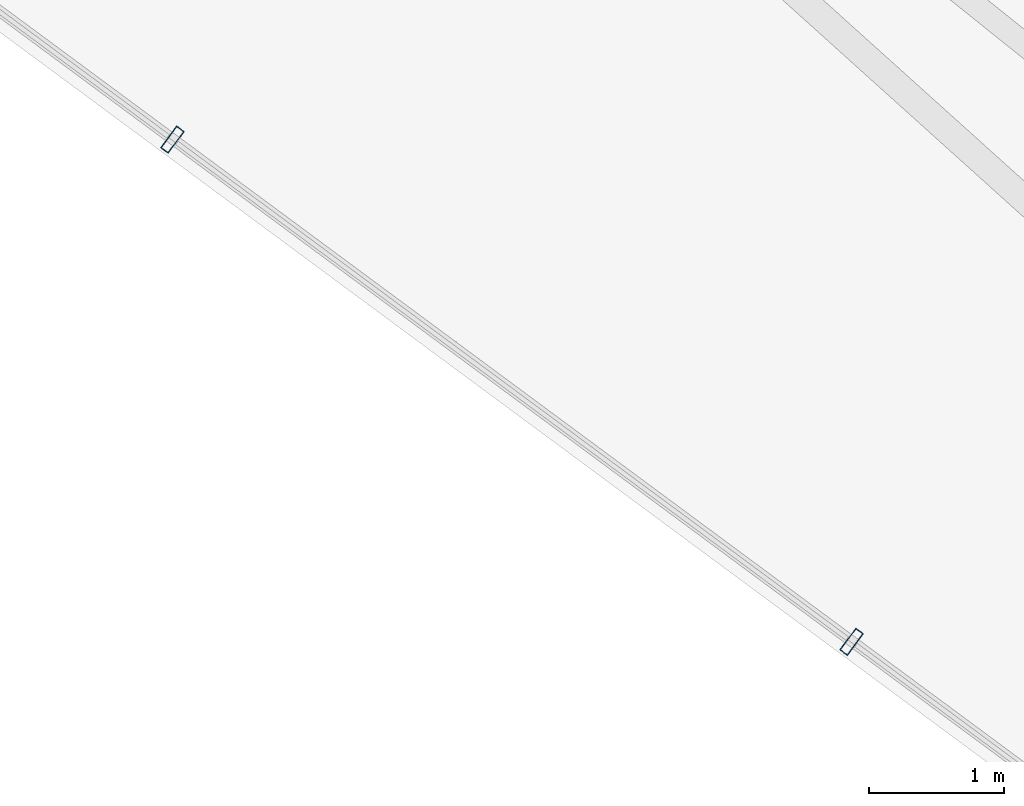
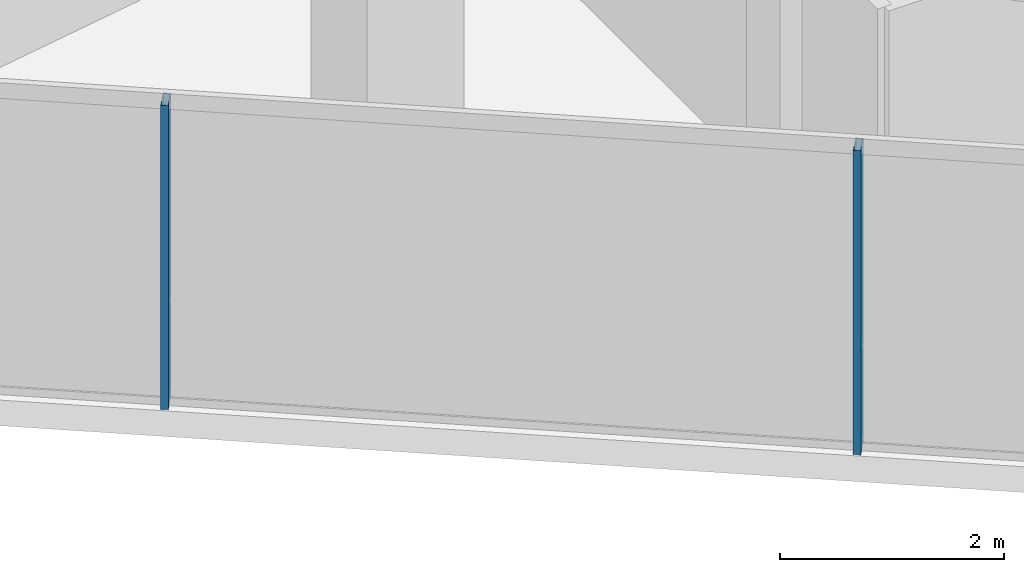
# One storey, part 2 of 22: 2 members, 1 element without a shape of its own.
"""IFC4 building model written with IfcOpenShell, lengths in metres."""

from ifc_helpers import new_model, si_unit, direction, frame, origin, origin_2d, place, context, subcontext, project, spatial, hollow_rectangle, extrude, material, layer, layer_set, material_profile, profile_set, type_object, element, aggregate, save


model = new_model("IFC4")

# Units and contexts
model_context = context("Model", 3, precision=1e-05, world=origin(), true_north=direction((0.0, 1.0)))
body_context = subcontext(model_context, "Body", "Model", "MODEL_VIEW")
ifc_project = project(units=[si_unit("LENGTHUNIT", "METRE"), si_unit("AREAUNIT", "SQUARE_METRE"), si_unit("VOLUMEUNIT", "CUBIC_METRE"), si_unit("PLANEANGLEUNIT", "RADIAN"), si_unit("MASSUNIT", "GRAM", prefix="KILO")], contexts=[model_context])

# Site, building, storey
site_placement = place(None, origin())
site = spatial("IfcSite", under=ifc_project, at=site_placement, CompositionType="ELEMENT")
building_placement = place(site_placement, origin())
building = spatial("IfcBuilding", under=site, at=building_placement, Name="Qarnah Convention Tower", CompositionType="ELEMENT")
storey_placement = place(building_placement, frame((0.0, 0.0, 154.5)))
storey = spatial("IfcBuildingStorey", under=building, at=storey_placement, Name="L41", CompositionType="ELEMENT", Elevation=154.5)

# Curtain wall, members
ifc_material_1 = material(Name="Tempered Low-E dark glass", Category="glass")
ifc_layer = layer(ifc_material_1, 0.172119140625)
ifc_layer_set = layer_set([ifc_layer], Name="Tempered Low-E dark glass")
curtain_wall_type = type_object("IfcCurtainWallType", Name="CWS-03", PredefinedType="NOTDEFINED", material=ifc_layer_set)
curtain_wall_placement = place(storey_placement, origin())
curtain_wall = element("IfcCurtainWall", 1, at=curtain_wall_placement, inside=storey, type_object=curtain_wall_type, Name="L41 unitised curtain wall CW-L41-F2", PredefinedType="NOTDEFINED")
ifc_material_2 = material(Name="Black anodised aluminium", Category="aluminium")
ifc_material_profile = material_profile(ifc_material_2, hollow_rectangle(XDim=0.070068359375, YDim=0.199951171875, WallThickness=0.0048828125, at=origin_2d()), Name="MUL-70X200")
ifc_profile_set = profile_set([ifc_material_profile], Name="Black anodised aluminium")
member_type = type_object("IfcMemberType", Name="MUL-T3", PredefinedType="MULLION", material=ifc_profile_set)
member_1_placement = place(storey_placement, frame((25.156494140625, 14.574951171875, 0.0), z_axis=(0.0, 0.0, 1.0), x_axis=(-0.804054129382, 0.594556100821, 0.0)))
member_1 = element("IfcMember", 2, at=member_1_placement, type_object=member_type, Name="CW-L41-F2 mullion 4", PredefinedType="MULLION", context=body_context, shape_type="SweptSolid", body=[
    extrude(hollow_rectangle(XDim=0.070068359375, YDim=0.199951171875, WallThickness=0.0048828125, at=origin_2d()), origin(), (0.0, 0.0, 1.0), 3.320068359375),
])
member_2_placement = place(storey_placement, frame((20.143310546875, 18.281982421875, 0.0), z_axis=(0.0, 0.0, 1.0), x_axis=(-0.804054129382, 0.594556100821, 0.0)))
member_2 = element("IfcMember", 3, at=member_2_placement, type_object=member_type, Name="CW-L41-F2 mullion 5", PredefinedType="MULLION", context=body_context, shape_type="SweptSolid", body=[
    extrude(hollow_rectangle(XDim=0.070068359375, YDim=0.199951171875, WallThickness=0.0048828125, at=origin_2d()), origin(), (0.0, 0.0, 1.0), 3.320068359375),
])
aggregate(curtain_wall, [member_1, member_2])

save(model, "model.ifc")
